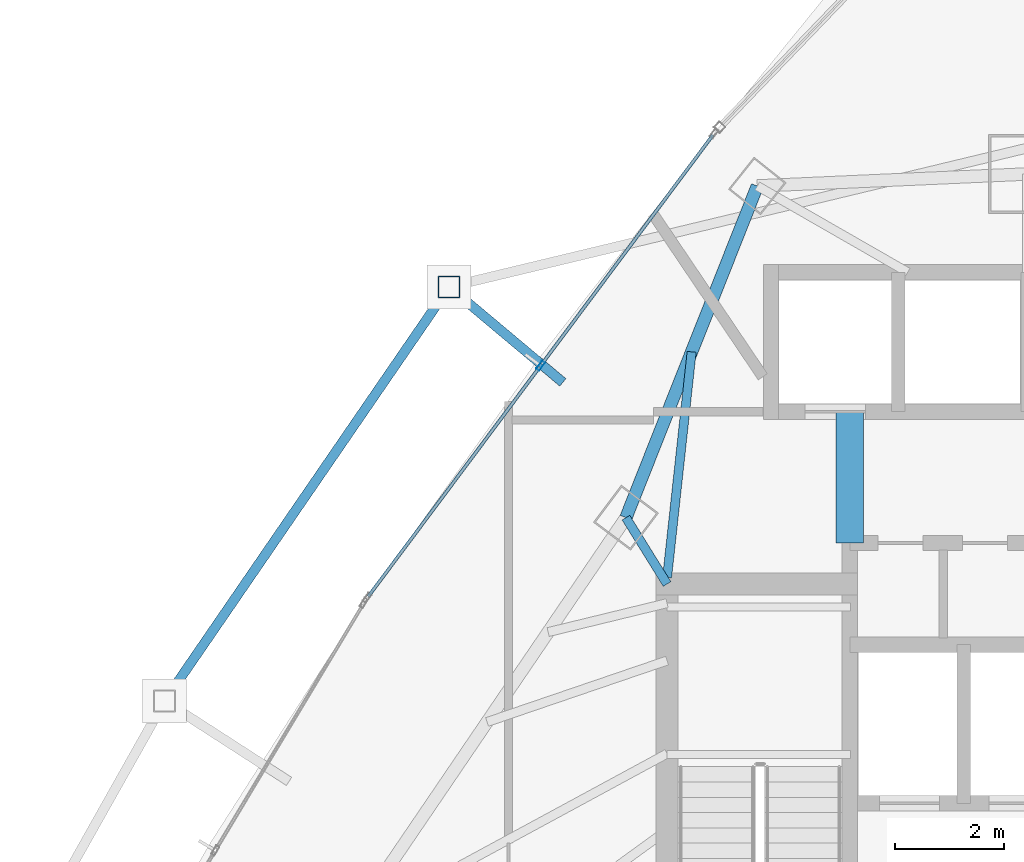
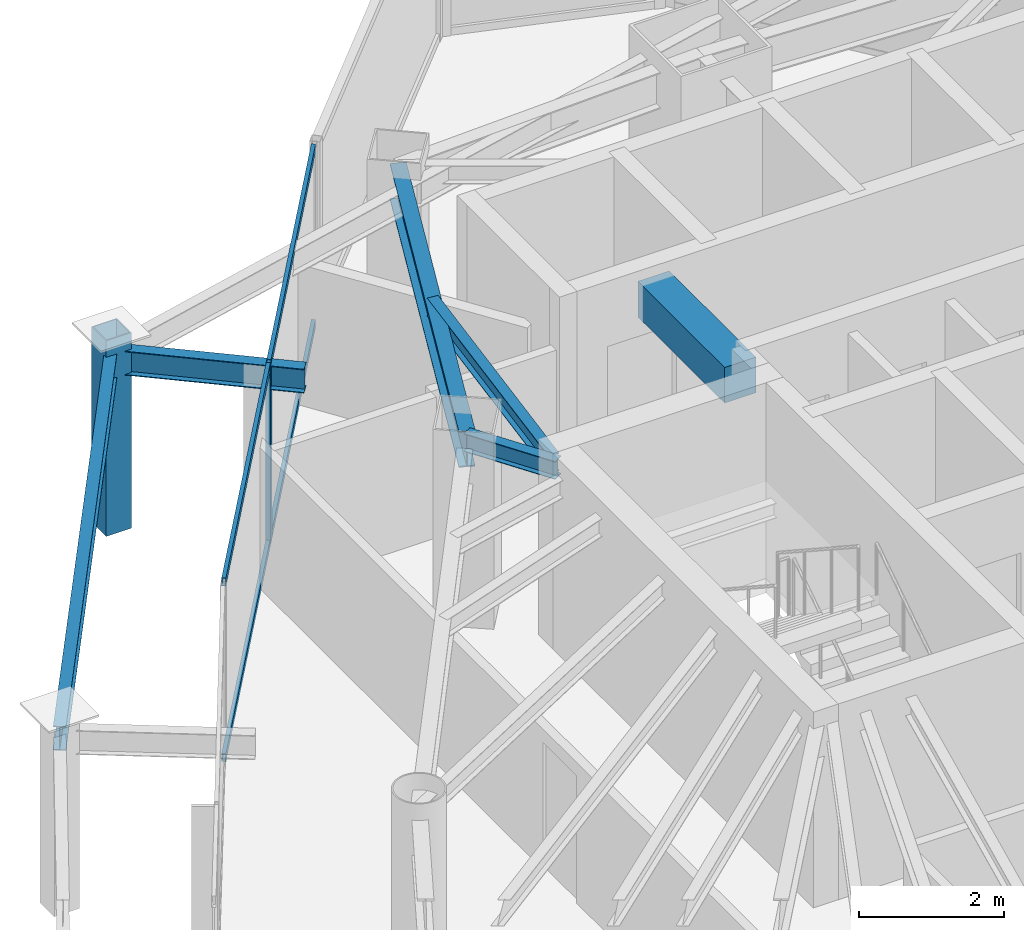
# One storey, part 21 of 31: 6 beams, 6 members, 1 element without a shape of its own.
"""IFC4 building model written with IfcOpenShell, lengths in metres."""

from ifc_helpers import new_model, si_unit, direction, frame, origin, origin_2d, place, context, subcontext, project, spatial, rectangle, hollow_rectangle, i_section, extrude, material, layer, layer_set, material_profile, profile_set, type_object, element, aggregate, save


model = new_model("IFC4")

# Units and contexts
model_context = context("Model", 3, precision=1e-05, world=origin(), true_north=direction((0.0, 1.0)))
body_context = subcontext(model_context, "Body", "Model", "MODEL_VIEW")
ifc_project = project(units=[si_unit("LENGTHUNIT", "METRE"), si_unit("AREAUNIT", "SQUARE_METRE"), si_unit("VOLUMEUNIT", "CUBIC_METRE"), si_unit("PLANEANGLEUNIT", "RADIAN"), si_unit("MASSUNIT", "GRAM", prefix="KILO")], contexts=[model_context])

# Site, building, storey
site_placement = place(None, origin())
site = spatial("IfcSite", under=ifc_project, at=site_placement, CompositionType="ELEMENT")
building_placement = place(site_placement, origin())
building = spatial("IfcBuilding", under=site, at=building_placement, Name="Orvanel Arch Residences", CompositionType="ELEMENT")
storey_placement = place(building_placement, frame((0.0, 0.0, 183.64990234375)))
storey = spatial("IfcBuildingStorey", under=building, at=storey_placement, Name="L52", CompositionType="ELEMENT", Elevation=183.64990234375)

# Beams
ifc_material_1 = material(Name="Structural steel AS/NZS 3679.1 Grade 300 (300 MPa)", Category="steel")
ifc_material_profile_1 = material_profile(ifc_material_1, i_section(OverallWidth=0.1650390625, OverallDepth=0.303955078125, WebThickness=0.006103515625, FlangeThickness=0.01025390625, at=origin_2d()), Name="310UB40.4")
ifc_profile_set_1 = profile_set([ifc_material_profile_1], Name="Structural steel AS/NZS 3679.1 Grade 300 (300 MPa)")
beam_type_1 = type_object("IfcBeamType", Name="BJ-310UB", PredefinedType="JOIST", material=ifc_profile_set_1)
beam_1_placement = place(storey_placement, frame((26.39990234375, 33.89990234375, 2.8681640625), z_axis=(-0.526843290616, 0.84996243866, 0.0), x_axis=(-0.84996243866, -0.526843290616, 0.0)))
element("IfcBeam", 1, at=beam_1_placement, inside=storey, type_object=beam_type_1, Name="L52 NNW Wing Floor Joist", PredefinedType="JOIST", context=body_context, shape_type="SweptSolid", body=[
    extrude(i_section(OverallWidth=0.1650390625, OverallDepth=0.303955078125, WebThickness=0.006103515625, FlangeThickness=0.01025390625, at=origin_2d()), origin(), (0.0, 0.0, 1.0), 1.42724609375),
])
beam_2_placement = place(storey_placement, frame((26.39990234375, 34.02001953125, 2.8681640625), z_axis=(0.108261441852, 0.99412245735, 0.0), x_axis=(-0.99412245735, 0.108261441852, 0.0)))
element("IfcBeam", 2, at=beam_2_placement, inside=storey, type_object=beam_type_1, Name="L52 NNW2 Wing Floor Joist", PredefinedType="JOIST", context=body_context, shape_type="SweptSolid", body=[
    extrude(i_section(OverallWidth=0.1650390625, OverallDepth=0.303955078125, WebThickness=0.006103515625, FlangeThickness=0.01025390625, at=origin_2d()), origin(), (0.0, 0.0, 1.0), 4.1494140625),
])
ifc_material_2 = material(Name="Concrete S65 (65 MPa)", Category="concrete")
ifc_material_profile_2 = material_profile(ifc_material_2, rectangle(XDim=0.5, YDim=0.60009765625, at=origin_2d()), Name="RC500x600")
ifc_profile_set_2 = profile_set([ifc_material_profile_2], Name="Concrete S65 (65 MPa)")
beam_type_2 = type_object("IfcBeamType", Name="CB-500x600", PredefinedType="LINTEL", material=ifc_profile_set_2)
beam_3_placement = place(storey_placement, frame((29.739990234375, 34.64990234375, 2.72021484375), z_axis=(0.0, 1.0, 0.0), x_axis=(-1.0, 0.0, 0.0)))
element("IfcBeam", 3, at=beam_3_placement, inside=storey, type_object=beam_type_2, Name="L52 West Core Lobby Coupling Lintel Beam", PredefinedType="LINTEL", context=body_context, shape_type="SweptSolid", body=[
    extrude(rectangle(XDim=0.5, YDim=0.60009765625, at=origin_2d()), origin(), (0.0, 0.0, 1.0), 2.400146484375),
])

# Curtain wall, member
ifc_material_3 = material(Name="Bronze-anodised aluminium AA6063-T6", Category="aluminium")
ifc_layer = layer(ifc_material_3, 0.179931640625)
ifc_layer_set = layer_set([ifc_layer], Name="Bronze-anodised aluminium AA6063-T6")
curtain_wall_type = type_object("IfcCurtainWallType", Name="CW3-MID-SYS", PredefinedType="NOTDEFINED", material=ifc_layer_set)
curtain_wall_placement = place(storey_placement, origin())
curtain_wall = element("IfcCurtainWall", 4, at=curtain_wall_placement, inside=storey, type_object=curtain_wall_type, Name="L52 CW3-MID-SYS Unitised Curtain Wall", PredefinedType="NOTDEFINED")
ifc_material_profile_3 = material_profile(ifc_material_3, hollow_rectangle(XDim=0.070068359375, YDim=0.179931640625, WallThickness=0.00439453125, at=origin_2d()), Name="ALU180x70x4.5")
ifc_profile_set_3 = profile_set([ifc_material_profile_3], Name="Bronze-anodised aluminium AA6063-T6")
member_type_1 = type_object("IfcMemberType", Name="MUL-180x70", PredefinedType="MULLION", material=ifc_profile_set_3)
member_1_placement = place(storey_placement, frame((24.0869140625, 37.89111328125, 0.0), z_axis=(0.0, 0.0, 1.0), x_axis=(0.801167631356, -0.598439994041, 0.0)))
member_1 = element("IfcMember", 5, at=member_1_placement, type_object=member_type_1, Name="CW-S3 mullion 2", PredefinedType="MULLION", context=body_context, shape_type="SweptSolid", body=[
    extrude(hollow_rectangle(XDim=0.070068359375, YDim=0.179931640625, WallThickness=0.00439453125, at=origin_2d()), origin(), (0.0, 0.0, 1.0), 3.02001953125),
])

# Beams
ifc_material_profile_4 = material_profile(ifc_material_1, i_section(OverallWidth=0.177978515625, OverallDepth=0.406005859375, WebThickness=0.0078125, FlangeThickness=0.0126953125, at=origin_2d()), Name="410UB59.7")
ifc_profile_set_4 = profile_set([ifc_material_profile_4], Name="Structural steel AS/NZS 3679.1 Grade 300 (300 MPa)")
beam_type_3 = type_object("IfcBeamType", Name="OB-410UB-EXT", PredefinedType="SPANDREL", material=ifc_profile_set_4)
beam_4_placement = place(storey_placement, frame((24.493896484375, 37.5869140625, 2.817138671875), z_axis=(-0.766028783126, 0.642806272078, 0.0), x_axis=(-0.642806272078, -0.766028783126, 0.0)))
element("IfcBeam", 6, at=beam_4_placement, inside=storey, type_object=beam_type_3, Name="L52 Outer Frame Radial Tie Beam 01", PredefinedType="SPANDREL", context=body_context, shape_type="SweptSolid", body=[
    extrude(i_section(OverallWidth=0.177978515625, OverallDepth=0.406005859375, WebThickness=0.0078125, FlangeThickness=0.0126953125, at=origin_2d()), origin(), (0.0, 0.0, 1.0), 2.71630859375),
])
beam_5_placement = place(storey_placement, frame((22.4130859375, 39.3330078125, 2.817138671875), z_axis=(-0.566090057787, -0.824343403245, 0.0), x_axis=(0.824343403245, -0.566090057787, 0.0)))
element("IfcBeam", 7, at=beam_5_placement, inside=storey, type_object=beam_type_3, Name="L52 Outer Perimeter Floor Ring Beam 01", PredefinedType="SPANDREL", context=body_context, shape_type="SweptSolid", body=[
    extrude(i_section(OverallWidth=0.177978515625, OverallDepth=0.406005859375, WebThickness=0.0078125, FlangeThickness=0.0126953125, at=origin_2d()), origin(), (0.0, 0.0, 1.0), 9.18798828125),
])
ifc_material_profile_5 = material_profile(ifc_material_1, i_section(OverallWidth=0.22900390625, OverallDepth=0.612060546875, WebThickness=0.011962890625, FlangeThickness=0.01953125, at=origin_2d()), Name="610UB125")
ifc_profile_set_5 = profile_set([ifc_material_profile_5], Name="Structural steel AS/NZS 3679.1 Grade 300 (300 MPa)")
beam_type_4 = type_object("IfcBeamType", Name="SP-610UB", PredefinedType="SPANDREL", material=ifc_profile_set_5)
beam_6_placement = place(storey_placement, frame((28.050048828125, 41.177978515625, 2.714111328125), z_axis=(-0.368233143579, -0.929733484376, 0.0), x_axis=(0.929733484376, -0.368233143579, 0.0)))
element("IfcBeam", 8, at=beam_6_placement, inside=storey, type_object=beam_type_4, Name="L52 Perimeter Spandrel Beam 16", PredefinedType="SPANDREL", context=body_context, shape_type="SweptSolid", body=[
    extrude(i_section(OverallWidth=0.22900390625, OverallDepth=0.612060546875, WebThickness=0.011962890625, FlangeThickness=0.01953125, at=origin_2d()), origin(), (0.0, 0.0, 1.0), 6.523193359375),
])

# Member
ifc_material_4 = material(Name="Structural steel AS/NZS 1163 C450L0 (Grade 450)", Category="steel")
ifc_material_profile_6 = material_profile(ifc_material_4, hollow_rectangle(XDim=0.39990234375, YDim=0.39990234375, WallThickness=0.01611328125, at=origin_2d()), Name="SHS400x400x16")
ifc_profile_set_6 = profile_set([ifc_material_profile_6], Name="Structural steel AS/NZS 1163 C450L0 (Grade 450)")
member_type_2 = type_object("IfcMemberType", Name="ST-400SHS-EXT", PredefinedType="STRUT", material=ifc_profile_set_6)
member_2_placement = place(storey_placement, frame((22.4130859375, 39.3330078125, 0.0), z_axis=(0.0, 0.0, 1.0), x_axis=(1.0, 0.0, 0.0)))
element("IfcMember", 9, at=member_2_placement, inside=storey, type_object=member_type_2, Name="L52 Outer Perimeter Frame Post 01", PredefinedType="STRUT", context=body_context, shape_type="SweptSolid", body=[
    extrude(hollow_rectangle(XDim=0.39990234375, YDim=0.39990234375, WallThickness=0.01611328125, at=origin_2d()), origin(), (0.0, 0.0, 1.0), 3.300048828125),
])

ifc_material_profile_7 = material_profile(ifc_material_3, hollow_rectangle(XDim=0.06005859375, YDim=0.135009765625, WallThickness=0.00390625, at=origin_2d()), Name="ALU135x60x4")
ifc_profile_set_7 = profile_set([ifc_material_profile_7], Name="Bronze-anodised aluminium AA6063-T6")
member_type_3 = type_object("IfcMemberType", Name="TRN-135x60", PredefinedType="USERDEFINED", material=ifc_profile_set_7)
member_3_placement = place(storey_placement, frame((27.239013671875, 42.11083984375, 0.030029296875), z_axis=(-0.598431028482, -0.80117432819, 0.0), x_axis=(0.80117432819, -0.598431028482, 0.0)))
member_3 = element("IfcMember", 10, at=member_3_placement, type_object=member_type_3, Name="CW-S3 transom 1.1", ObjectType="TRANSOM", PredefinedType="USERDEFINED", context=body_context, shape_type="SweptSolid", body=[
    extrude(hollow_rectangle(XDim=0.06005859375, YDim=0.135009765625, WallThickness=0.00390625, at=origin_2d()), origin(), (0.0, 0.0, 1.0), 5.232177734375),
])

member_4_placement = place(storey_placement, frame((27.239013671875, 42.11083984375, 2.989990234375), z_axis=(-0.598431028482, -0.80117432819, 0.0), x_axis=(0.80117432819, -0.598431028482, 0.0)))
member_4 = element("IfcMember", 11, at=member_4_placement, type_object=member_type_3, Name="CW-S3 transom 1.2", ObjectType="TRANSOM", PredefinedType="USERDEFINED", context=body_context, shape_type="SweptSolid", body=[
    extrude(hollow_rectangle(XDim=0.06005859375, YDim=0.135009765625, WallThickness=0.00390625, at=origin_2d()), origin(), (0.0, 0.0, 1.0), 5.232177734375),
])

member_5_placement = place(storey_placement, frame((24.066162109375, 37.863037109375, 0.030029296875), z_axis=(-0.59846097819, -0.801151956613, 0.0), x_axis=(0.801151956613, -0.59846097819, 0.0)))
member_5 = element("IfcMember", 12, at=member_5_placement, type_object=member_type_3, Name="CW-S3 transom 2.1", ObjectType="TRANSOM", PredefinedType="USERDEFINED", context=body_context, shape_type="SweptSolid", body=[
    extrude(hollow_rectangle(XDim=0.06005859375, YDim=0.135009765625, WallThickness=0.00390625, at=origin_2d()), origin(), (0.0, 0.0, 1.0), 5.232421875),
])

member_6_placement = place(storey_placement, frame((24.066162109375, 37.863037109375, 2.989990234375), z_axis=(-0.59846097819, -0.801151956613, 0.0), x_axis=(0.801151956613, -0.59846097819, 0.0)))
member_6 = element("IfcMember", 13, at=member_6_placement, type_object=member_type_3, Name="CW-S3 transom 2.2", ObjectType="TRANSOM", PredefinedType="USERDEFINED", context=body_context, shape_type="SweptSolid", body=[
    extrude(hollow_rectangle(XDim=0.06005859375, YDim=0.135009765625, WallThickness=0.00390625, at=origin_2d()), origin(), (0.0, 0.0, 1.0), 5.232421875),
])

aggregate(curtain_wall, [member_1, member_3, member_4, member_5, member_6])

save(model, "model.ifc")
